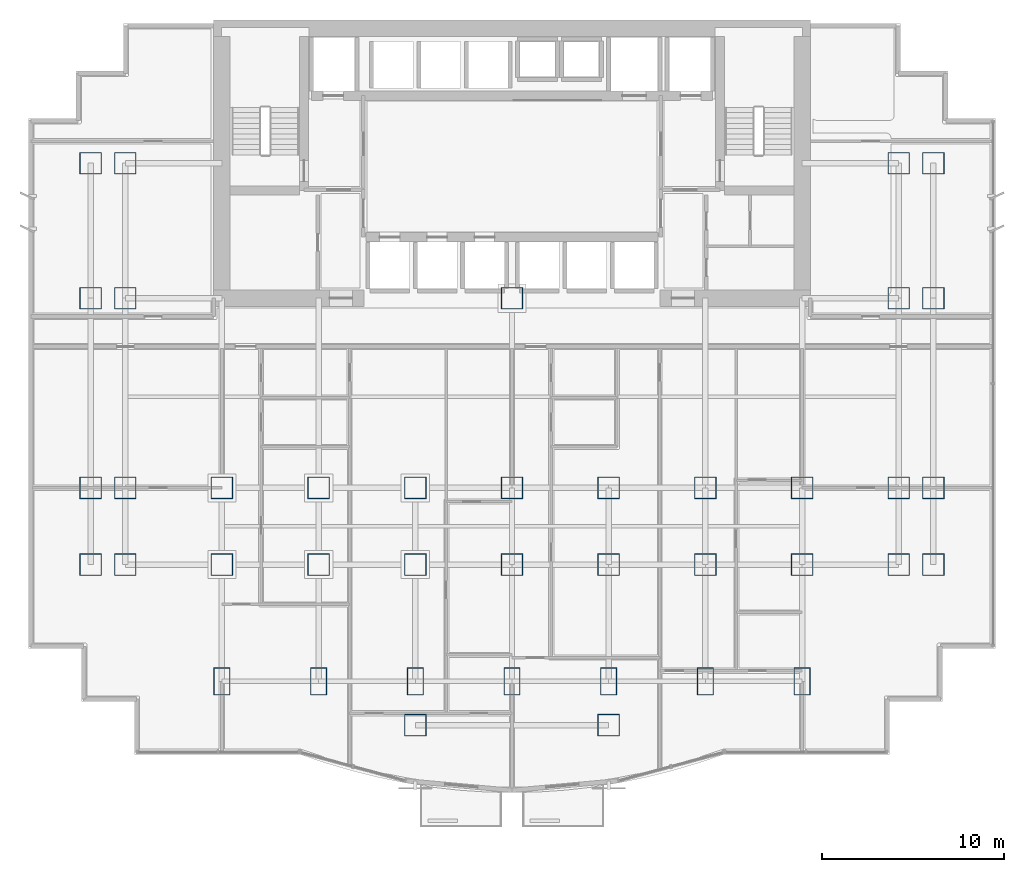
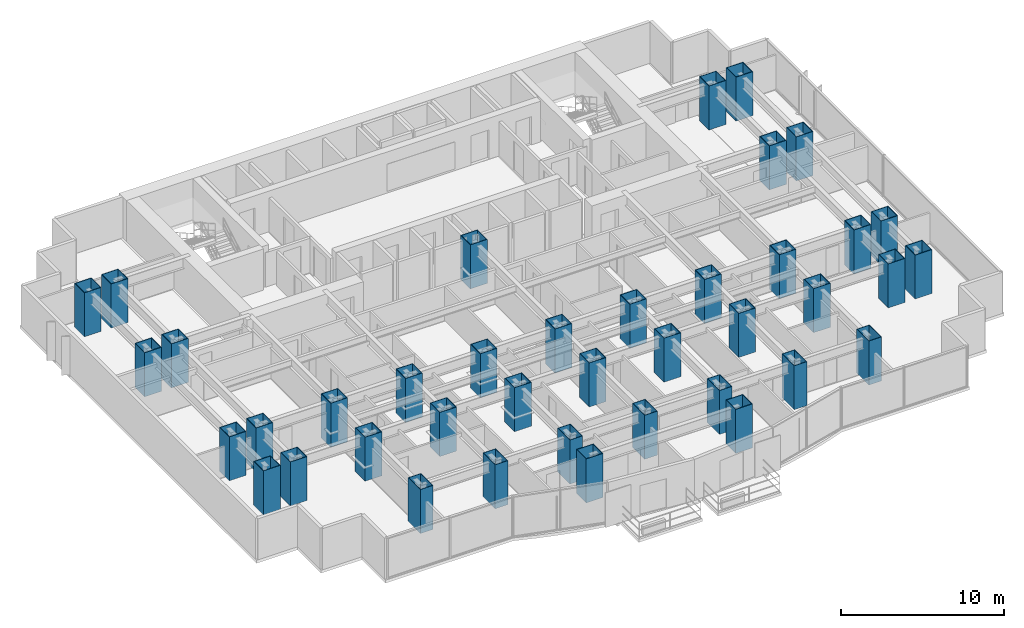
# One storey, part 1 of 12: 40 columns.
"""IFC4 building model written with IfcOpenShell, lengths in metres."""

from ifc_helpers import new_model, si_unit, direction, frame, origin, origin_2d, place, context, subcontext, project, spatial, hollow_rectangle, extrude, material, material_profile, profile_set, type_object, element, save


model = new_model("IFC4")

# Units and contexts
model_context = context("Model", 3, precision=1e-05, world=origin(), true_north=direction((0.0, 1.0)))
body_context = subcontext(model_context, "Body", "Model", "MODEL_VIEW")
ifc_project = project(units=[si_unit("LENGTHUNIT", "METRE"), si_unit("AREAUNIT", "SQUARE_METRE"), si_unit("VOLUMEUNIT", "CUBIC_METRE"), si_unit("PLANEANGLEUNIT", "RADIAN"), si_unit("MASSUNIT", "GRAM", prefix="KILO")], contexts=[model_context])

# Site, building, storey
site_placement = place(None, origin())
site = spatial("IfcSite", under=ifc_project, at=site_placement, CompositionType="ELEMENT")
building_placement = place(site_placement, origin())
building = spatial("IfcBuilding", under=site, at=building_placement, Name="Qianlan Lanfeng Residences", CompositionType="ELEMENT")
storey_placement = place(building_placement, frame((0.0, 0.0, 47.300048828125)))
storey = spatial("IfcBuildingStorey", under=building, at=storey_placement, Name="L12", CompositionType="ELEMENT", Elevation=47.300048828125)

# Columns
ifc_material_1 = material(Name="Steel SM570 (420 MPa)", Category="steel")
ifc_material_profile_1 = material_profile(ifc_material_1, hollow_rectangle(XDim=1.199951171875, YDim=1.199951171875, WallThickness=0.0400390625, at=origin_2d()), Name="BOX 1200x1200x40")
ifc_profile_set_1 = profile_set([ifc_material_profile_1], Name="Steel SM570 (420 MPa)")
column_type_1 = type_object("IfcColumnType", Name="C-B1400", PredefinedType="COLUMN", material=ifc_profile_set_1)
for number, where, z_axis, x_axis, name in (
    (1, (26.5, 25.199951171875, 0.0), (0.0, 0.0, 1.0), (1.0, 0.0, 0.0), "L12 Structural Column CP_26.5_25.2"),
    (2, (10.60009765625, 14.800048828125, 0.0), (0.0, 0.0, 1.0), (1.0, 0.0, 0.0), "L12 Structural Column M_10.60_14.80"),
    (3, (10.60009765625, 10.60009765625, 0.0), (0.0, 0.0, 1.0), (1.0, 0.0, 0.0), "L12 Structural Column G_10.60_10.60"),
    (4, (15.89990234375, 14.800048828125, 0.0), (0.0, 0.0, 1.0), (1.0, 0.0, 0.0), "L12 Structural Column M_15.90_14.80"),
    (5, (15.89990234375, 10.60009765625, 0.0), (0.0, 0.0, 1.0), (1.0, 0.0, 0.0), "L12 Structural Column G_15.90_10.60"),
    (6, (21.199951171875, 14.800048828125, 0.0), (0.0, 0.0, 1.0), (1.0, 0.0, 0.0), "L12 Structural Column M_21.20_14.80"),
    (7, (21.199951171875, 10.60009765625, 0.0), (0.0, 0.0, 1.0), (1.0, 0.0, 0.0), "L12 Structural Column G_21.20_10.60"),
    (8, (26.5, 14.800048828125, 0.0), (0.0, 0.0, 1.0), (1.0, 0.0, 0.0), "L12 Structural Column M_26.50_14.80"),
    (9, (26.5, 10.60009765625, 0.0), (0.0, 0.0, 1.0), (1.0, 0.0, 0.0), "L12 Structural Column G_26.50_10.60"),
    (10, (31.800048828125, 14.800048828125, 0.0), (0.0, 0.0, 1.0), (1.0, 0.0, 0.0), "L12 Structural Column M_31.80_14.80"),
    (11, (31.800048828125, 10.60009765625, 0.0), (0.0, 0.0, 1.0), (1.0, 0.0, 0.0), "L12 Structural Column G_31.80_10.60"),
    (12, (37.10009765625, 14.800048828125, 0.0), (0.0, 0.0, 1.0), (1.0, 0.0, 0.0), "L12 Structural Column M_37.10_14.80"),
    (13, (37.10009765625, 10.60009765625, 0.0), (0.0, 0.0, 1.0), (1.0, 0.0, 0.0), "L12 Structural Column G_37.10_10.60"),
    (14, (42.39990234375, 14.800048828125, 0.0), (0.0, 0.0, 1.0), (1.0, 0.0, 0.0), "L12 Structural Column M_42.40_14.80"),
    (15, (42.39990234375, 10.60009765625, 0.0), (0.0, 0.0, 1.0), (1.0, 0.0, 0.0), "L12 Structural Column G_42.40_10.60"),
    (16, (21.199951171875, 1.800048828125, 0.0), (0.0, 0.0, 1.0), (1.0, 0.0, 0.0), "L12 Structural Column P_21.20_1.80"),
    (17, (31.800048828125, 1.800048828125, 0.0), (0.0, 0.0, 1.0), (1.0, 0.0, 0.0), "L12 Structural Column P_31.80_1.80"),
    (18, (3.39990234375, 10.60009765625, 0.0), (0.0, 0.0, 1.0), (1.0, 0.0, 0.0), "L12 Structural Column W_3.40_10.60"),
    (19, (3.39990234375, 14.800048828125, 0.0), (0.0, 0.0, 1.0), (1.0, 0.0, 0.0), "L12 Structural Column W_3.40_14.80"),
    (20, (3.39990234375, 25.199951171875, 0.0), (0.0, 0.0, 1.0), (1.0, 0.0, 0.0), "L12 Structural Column W_3.40_25.20"),
    (21, (3.39990234375, 32.60009765625, 0.0), (0.0, 0.0, 1.0), (1.0, 0.0, 0.0), "L12 Structural Column W_3.40_32.60"),
    (22, (5.300048828125, 10.60009765625, 0.0), (0.0, 0.0, 1.0), (1.0, 0.0, 0.0), "L12 Structural Column W_5.30_10.60"),
    (23, (5.300048828125, 14.800048828125, 0.0), (0.0, 0.0, 1.0), (1.0, 0.0, 0.0), "L12 Structural Column W_5.30_14.80"),
    (24, (5.300048828125, 25.199951171875, 0.0), (0.0, 0.0, 1.0), (1.0, 0.0, 0.0), "L12 Structural Column W_5.30_25.20"),
    (25, (5.300048828125, 32.60009765625, 0.0), (0.0, 0.0, 1.0), (1.0, 0.0, 0.0), "L12 Structural Column W_5.30_32.60"),
    (26, (47.699951171875, 10.60009765625, 0.0), (0.0, 0.0, 1.0), (1.0, 0.0, 0.0), "L12 Structural Column W_47.70_10.60"),
    (27, (47.699951171875, 14.800048828125, 0.0), (0.0, 0.0, 1.0), (1.0, 0.0, 0.0), "L12 Structural Column W_47.70_14.80"),
    (28, (47.699951171875, 25.199951171875, 0.0), (0.0, 0.0, 1.0), (1.0, 0.0, 0.0), "L12 Structural Column W_47.70_25.20"),
    (29, (47.699951171875, 32.60009765625, 0.0), (0.0, 0.0, 1.0), (1.0, 0.0, 0.0), "L12 Structural Column W_47.70_32.60"),
    (30, (49.60009765625, 10.60009765625, 0.0), (0.0, 0.0, 1.0), (1.0, 0.0, 0.0), "L12 Structural Column W_49.60_10.60"),
    (31, (49.60009765625, 14.800048828125, 0.0), (0.0, 0.0, 1.0), (1.0, 0.0, 0.0), "L12 Structural Column W_49.60_14.80"),
    (32, (49.60009765625, 25.199951171875, 0.0), (0.0, 0.0, 1.0), (1.0, 0.0, 0.0), "L12 Structural Column W_49.60_25.20"),
    (33, (49.60009765625, 32.60009765625, 0.0), (0.0, 0.0, 1.0), (1.0, 0.0, 0.0), "L12 Structural Column W_49.60_32.60"),
):
    element("IfcColumn", number, at=place(storey_placement, frame(where, z_axis=z_axis, x_axis=x_axis)), inside=storey, type_object=column_type_1, Name=name, PredefinedType="COLUMN", context=body_context, shape_type="SweptSolid", body=[
        extrude(hollow_rectangle(XDim=1.199951171875, YDim=1.199951171875, WallThickness=0.0400390625, at=origin_2d()), origin(), (0.0, 0.0, 1.0), 3.300048828125),
    ])
ifc_material_2 = material(Name="Steel SN490B", Category="steel")
ifc_material_profile_2 = material_profile(ifc_material_2, hollow_rectangle(XDim=0.89990234375, YDim=1.5, WallThickness=0.035888671875, at=origin_2d()), Name="BOX 1500x900x36")
ifc_profile_set_2 = profile_set([ifc_material_profile_2], Name="Steel SN490B")
column_type_2 = type_object("IfcColumnType", Name="CE-B1250", PredefinedType="COLUMN", material=ifc_profile_set_2)
for number, where, z_axis, x_axis, name in (
    (34, (10.60009765625, 4.199951171875, 0.0), (0.0, 0.0, 1.0), (1.0, 0.0, 0.0), "L12 Structural Column S_10.60_4.20"),
    (35, (15.89990234375, 4.199951171875, 0.0), (0.0, 0.0, 1.0), (1.0, 0.0, 0.0), "L12 Structural Column S_15.90_4.20"),
    (36, (21.199951171875, 4.199951171875, 0.0), (0.0, 0.0, 1.0), (1.0, 0.0, 0.0), "L12 Structural Column S_21.20_4.20"),
    (37, (26.5, 4.199951171875, 0.0), (0.0, 0.0, 1.0), (1.0, 0.0, 0.0), "L12 Structural Column S_26.50_4.20"),
    (38, (31.800048828125, 4.199951171875, 0.0), (0.0, 0.0, 1.0), (1.0, 0.0, 0.0), "L12 Structural Column S_31.80_4.20"),
    (39, (37.10009765625, 4.199951171875, 0.0), (0.0, 0.0, 1.0), (1.0, 0.0, 0.0), "L12 Structural Column S_37.10_4.20"),
    (40, (42.39990234375, 4.199951171875, 0.0), (0.0, 0.0, 1.0), (1.0, 0.0, 0.0), "L12 Structural Column S_42.40_4.20"),
):
    element("IfcColumn", number, at=place(storey_placement, frame(where, z_axis=z_axis, x_axis=x_axis)), inside=storey, type_object=column_type_2, Name=name, PredefinedType="COLUMN", context=body_context, shape_type="SweptSolid", body=[
        extrude(hollow_rectangle(XDim=0.89990234375, YDim=1.5, WallThickness=0.035888671875, at=origin_2d()), origin(), (0.0, 0.0, 1.0), 3.300048828125),
    ])

save(model, "model.ifc")
